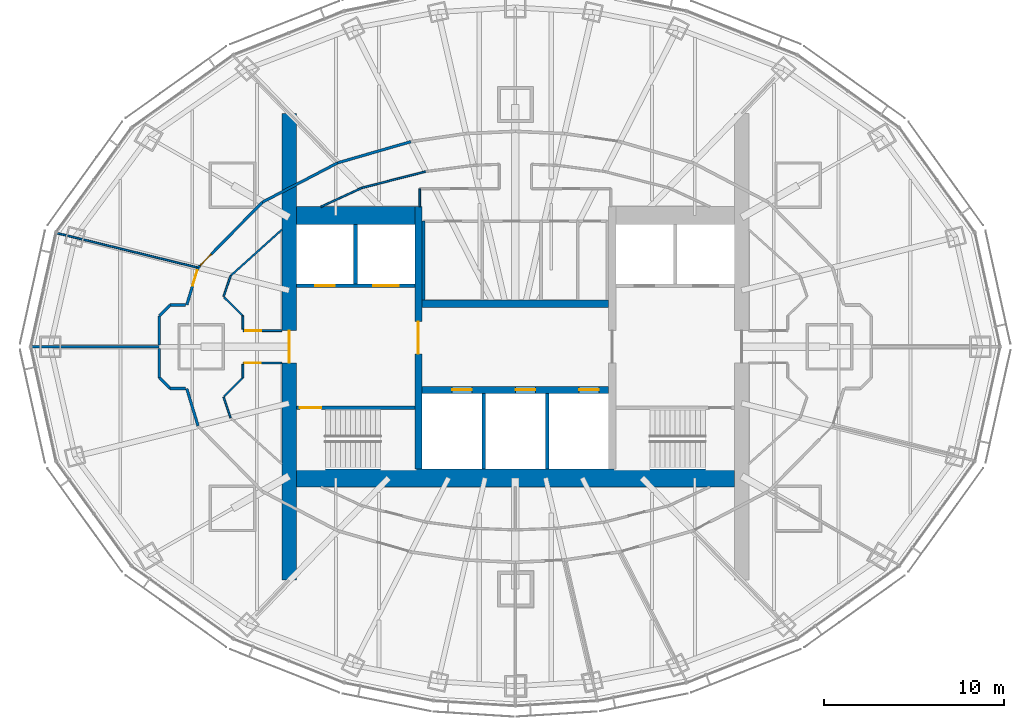
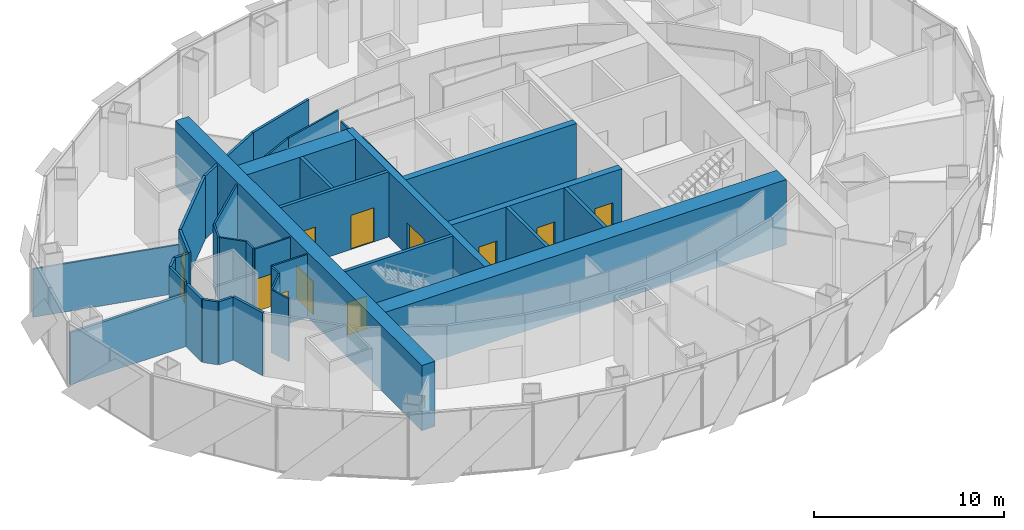
# One storey, part 12 of 17: 37 walls, 12 doors, 12 openings.
"""IFC4 building model written with IfcOpenShell, lengths in metres."""

from ifc_helpers import new_model, si_unit, direction, frame, frame_2d, origin, place, context, subcontext, project, spatial, rectangle, extrude, material, layer, layer_set, type_object, element, fill, save


model = new_model("IFC4")

# Units and contexts
model_context = context("Model", 3, precision=1e-05, world=origin(), true_north=direction((0.0, 1.0)))
body_context = subcontext(model_context, "Body", "Model", "MODEL_VIEW")
ifc_project = project(units=[si_unit("LENGTHUNIT", "METRE"), si_unit("AREAUNIT", "SQUARE_METRE"), si_unit("VOLUMEUNIT", "CUBIC_METRE"), si_unit("PLANEANGLEUNIT", "RADIAN"), si_unit("MASSUNIT", "GRAM", prefix="KILO")], contexts=[model_context])

# Site, building, storey
site_placement = place(None, origin())
site = spatial("IfcSite", under=ifc_project, at=site_placement, CompositionType="ELEMENT")
building_placement = place(site_placement, origin())
building = spatial("IfcBuilding", under=site, at=building_placement, Name="Lantaw Convention Tower", CompositionType="ELEMENT")
storey_placement = place(building_placement, frame((0.0, 0.0, 224.199951171875)))
storey = spatial("IfcBuildingStorey", under=building, at=storey_placement, Name="L52", CompositionType="ELEMENT", Elevation=224.199951171875)

# Walls
ifc_material_1 = material(Name="Concrete C60/75", Category="concrete")
ifc_layer_1 = layer(ifc_material_1, 1.0)
ifc_layer_set_1 = layer_set([ifc_layer_1], Name="Core wall 1000")
wall_type_1 = type_object("IfcWallType", Name="Core wall 1000", PredefinedType="SHEAR", material=ifc_layer_set_1)
wall_1_placement = place(storey_placement, frame((-12.199951171875, -7.300048828125, 0.0), z_axis=(0.0, 0.0, 1.0), x_axis=(1.0, 0.0, 0.0)))
element("IfcWall", 1, at=wall_1_placement, inside=storey, type_object=wall_type_1, Name="Core wall S", PredefinedType="SHEAR", context=body_context, shape_type="SweptSolid", body=[
    extrude(rectangle(XDim=24.39990234375, YDim=1.0, at=frame_2d((12.199951171875, 0.0))), origin(), (0.0, 0.0, 1.0), 4.199951171875),
])
wall_2_placement = place(storey_placement, frame((-5.60009765625, 7.300048828125, 0.0), z_axis=(0.0, 0.0, 1.0), x_axis=(-1.0, 0.0, 0.0)))
element("IfcWall", 2, at=wall_2_placement, inside=storey, type_object=wall_type_1, Name="Core wall NW", PredefinedType="SHEAR", context=body_context, shape_type="SweptSolid", body=[
    extrude(rectangle(XDim=6.599853515625, YDim=1.0, at=frame_2d((3.2998046875, 0.0))), origin(), (0.0, 0.0, 1.0), 4.199951171875),
])

# Wall, opening, door
ifc_layer_2 = layer(ifc_material_1, 0.199951171875)
ifc_layer_set_2 = layer_set([ifc_layer_2], Name="Core wall 200")
wall_type_2 = type_object("IfcWallType", Name="Core wall 200", PredefinedType="SHEAR", material=ifc_layer_set_2)
wall_3_placement = place(storey_placement, frame((-5.60009765625, -3.39990234375, 0.0), z_axis=(0.0, 0.0, 1.0), x_axis=(-1.0, 0.0, 0.0)))
wall_3 = element("IfcWall", 3, at=wall_3_placement, inside=storey, type_object=wall_type_2, Name="Core wall WS", PredefinedType="SHEAR", context=body_context, shape_type="SweptSolid", body=[
    extrude(rectangle(XDim=6.599853515625, YDim=0.199951171875, at=frame_2d((3.2998046875, 0.0))), origin(), (0.0, 0.0, 1.0), 4.199951171875),
])
opening_1_placement = place(wall_3_placement, frame((5.199951171875, 0.0, 0.0)))
opening_1 = element("IfcOpeningElement", 4, at=opening_1_placement, cuts=wall_3, Name="Opening L52.04", PredefinedType="OPENING", context=body_context, shape_type="SweptSolid", body=[
    extrude(rectangle(XDim=1.199951171875, YDim=2.10009765625, at=frame_2d((0.60009765625, 1.050048828125))), frame((0.0, 0.10986328125, 0.0), z_axis=(0.0, -1.0, 0.0), x_axis=(1.0, 0.0, 0.0)), (0.0, 0.0, 1.0), 0.219970703125),
])
ifc_material_2 = material(Name="Steel, fire rated", Category="steel")
door_type_1 = type_object("IfcDoorType", Name="Stair door FD90", OperationType="SINGLE_SWING_RIGHT", PredefinedType="DOOR", material=ifc_material_2)
door_1_placement = place(opening_1_placement, origin())
door_1 = element("IfcDoor", 5, at=door_1_placement, inside=storey, type_object=door_type_1, Name="Exit stair door", OperationType="SINGLE_SWING_RIGHT", OverallHeight=2.10009765625, OverallWidth=1.199951171875, PredefinedType="DOOR", context=body_context, shape_type="SweptSolid", body=[
    extrude(rectangle(XDim=1.199951171875, YDim=2.10009765625, at=frame_2d((0.60009765625, 1.050048828125))), frame((0.0, 0.02490234375, 0.0), z_axis=(0.0, -1.0, 0.0), x_axis=(1.0, 0.0, 0.0)), (0.0, 0.0, 1.0), 0.050048828125),
])
fill(opening_1, door_1)

ifc_layer_3 = layer(ifc_material_1, 0.39990234375)
ifc_layer_set_3 = layer_set([ifc_layer_3], Name="Core wall 400")
wall_type_3 = type_object("IfcWallType", Name="Core wall 400", PredefinedType="SHEAR", material=ifc_layer_set_3)
wall_4_placement = place(storey_placement, frame((-5.39990234375, 7.800048828125, 0.0), z_axis=(0.0, 0.0, 1.0), x_axis=(0.0, -1.0, 0.0)))
wall_4 = element("IfcWall", 6, at=wall_4_placement, inside=storey, type_object=wall_type_3, Name="Core wall XW", PredefinedType="SHEAR", context=body_context, shape_type="SweptSolid", body=[
    extrude(rectangle(XDim=14.60009765625, YDim=0.39990234375, at=frame_2d((7.300048828125, 0.0))), origin(), (0.0, 0.0, 1.0), 4.199951171875),
])
opening_2_placement = place(wall_4_placement, frame((6.39990234375, 0.0, 0.0)))
opening_2 = element("IfcOpeningElement", 7, at=opening_2_placement, cuts=wall_4, Name="Opening L52.02", PredefinedType="OPENING", context=body_context, shape_type="SweptSolid", body=[
    extrude(rectangle(XDim=1.800048828125, YDim=2.10009765625, at=frame_2d((0.89990234375, 1.050048828125))), frame((0.0, 0.2099609375, 0.0), z_axis=(0.0, -1.0, 0.0), x_axis=(1.0, 0.0, 0.0)), (0.0, 0.0, 1.0), 0.419921875),
])
door_type_2 = type_object("IfcDoorType", Name="Lobby double door FD90", OperationType="DOUBLE_DOOR_DOUBLE_SWING", PredefinedType="DOOR", material=ifc_material_2)
door_2_placement = place(opening_2_placement, origin())
door_2 = element("IfcDoor", 8, at=door_2_placement, inside=storey, type_object=door_type_2, Name="Lift lobby door", OperationType="DOUBLE_DOOR_DOUBLE_SWING", OverallHeight=2.10009765625, OverallWidth=1.800048828125, PredefinedType="DOOR", context=body_context, shape_type="SweptSolid", body=[
    extrude(rectangle(XDim=1.800048828125, YDim=2.10009765625, at=frame_2d((0.89990234375, 1.050048828125))), frame((0.0, 0.02490234375, 0.0), z_axis=(0.0, -1.0, 0.0), x_axis=(1.0, 0.0, 0.0)), (0.0, 0.0, 1.0), 0.050048828125),
])
fill(opening_2, door_2)

# Wall, openings, doors
wall_5_placement = place(storey_placement, frame((-5.199951171875, -2.39990234375, 0.0), z_axis=(0.0, 0.0, 1.0), x_axis=(1.0, 0.0, 0.0)))
wall_5 = element("IfcWall", 9, at=wall_5_placement, inside=storey, type_object=wall_type_3, Name="Core wall BS", PredefinedType="SHEAR", context=body_context, shape_type="SweptSolid", body=[
    extrude(rectangle(XDim=10.39990234375, YDim=0.39990234375, at=frame_2d((5.199951171875, 0.0))), origin(), (0.0, 0.0, 1.0), 4.199951171875),
])
opening_3_placement = place(wall_5_placement, frame((1.683349609375, 0.0, 0.0)))
opening_3 = element("IfcOpeningElement", 10, at=opening_3_placement, cuts=wall_5, Name="Opening L52.07", PredefinedType="OPENING", context=body_context, shape_type="SweptSolid", body=[
    extrude(rectangle(XDim=1.10009765625, YDim=2.199951171875, at=frame_2d((0.550048828125, 1.10009765625))), frame((0.0, 0.2099609375, 0.0), z_axis=(0.0, -1.0, 0.0), x_axis=(1.0, 0.0, 0.0)), (0.0, 0.0, 1.0), 0.419921875),
])
opening_4_placement = place(wall_5_placement, frame((5.216796875, 0.0, 0.0)))
opening_4 = element("IfcOpeningElement", 11, at=opening_4_placement, cuts=wall_5, Name="Opening L52.08", PredefinedType="OPENING", context=body_context, shape_type="SweptSolid", body=[
    extrude(rectangle(XDim=1.10009765625, YDim=2.199951171875, at=frame_2d((0.550048828125, 1.10009765625))), frame((0.0, 0.2099609375, 0.0), z_axis=(0.0, -1.0, 0.0), x_axis=(1.0, 0.0, 0.0)), (0.0, 0.0, 1.0), 0.419921875),
])
opening_5_placement = place(wall_5_placement, frame((8.75, 0.0, 0.0)))
opening_5 = element("IfcOpeningElement", 12, at=opening_5_placement, cuts=wall_5, Name="Opening L52.09", PredefinedType="OPENING", context=body_context, shape_type="SweptSolid", body=[
    extrude(rectangle(XDim=1.10009765625, YDim=2.199951171875, at=frame_2d((0.550048828125, 1.10009765625))), frame((0.0, 0.2099609375, 0.0), z_axis=(0.0, -1.0, 0.0), x_axis=(1.0, 0.0, 0.0)), (0.0, 0.0, 1.0), 0.419921875),
])
ifc_material_3 = material(Name="Stainless steel", Category="steel")
door_type_3 = type_object("IfcDoorType", Name="Lift landing door 1100", OperationType="DOUBLE_DOOR_SLIDING", PredefinedType="DOOR", material=ifc_material_3)
door_3_placement = place(opening_3_placement, origin())
door_3 = element("IfcDoor", 13, at=door_3_placement, inside=storey, type_object=door_type_3, Name="Lift landing door S1", OperationType="DOUBLE_DOOR_SLIDING", OverallHeight=2.199951171875, OverallWidth=1.10009765625, PredefinedType="DOOR", context=body_context, shape_type="SweptSolid", body=[
    extrude(rectangle(XDim=1.10009765625, YDim=2.199951171875, at=frame_2d((0.550048828125, 1.10009765625))), frame((0.0, 0.02490234375, 0.0), z_axis=(0.0, -1.0, 0.0), x_axis=(1.0, 0.0, 0.0)), (0.0, 0.0, 1.0), 0.050048828125),
])
fill(opening_3, door_3)
door_4_placement = place(opening_4_placement, origin())
door_4 = element("IfcDoor", 14, at=door_4_placement, inside=storey, type_object=door_type_3, Name="Lift landing door S2", OperationType="DOUBLE_DOOR_SLIDING", OverallHeight=2.199951171875, OverallWidth=1.10009765625, PredefinedType="DOOR", context=body_context, shape_type="SweptSolid", body=[
    extrude(rectangle(XDim=1.10009765625, YDim=2.199951171875, at=frame_2d((0.550048828125, 1.10009765625))), frame((0.0, 0.02490234375, 0.0), z_axis=(0.0, -1.0, 0.0), x_axis=(1.0, 0.0, 0.0)), (0.0, 0.0, 1.0), 0.050048828125),
])
fill(opening_4, door_4)
door_5_placement = place(opening_5_placement, origin())
door_5 = element("IfcDoor", 15, at=door_5_placement, inside=storey, type_object=door_type_3, Name="Lift landing door S3", OperationType="DOUBLE_DOOR_SLIDING", OverallHeight=2.199951171875, OverallWidth=1.10009765625, PredefinedType="DOOR", context=body_context, shape_type="SweptSolid", body=[
    extrude(rectangle(XDim=1.10009765625, YDim=2.199951171875, at=frame_2d((0.550048828125, 1.10009765625))), frame((0.0, 0.02490234375, 0.0), z_axis=(0.0, -1.0, 0.0), x_axis=(1.0, 0.0, 0.0)), (0.0, 0.0, 1.0), 0.050048828125),
])
fill(opening_5, door_5)

# Wall
wall_6_placement = place(storey_placement, frame((5.199951171875, 2.39990234375, 0.0), z_axis=(0.0, 0.0, 1.0), x_axis=(-1.0, 0.0, 0.0)))
element("IfcWall", 16, at=wall_6_placement, inside=storey, type_object=wall_type_3, Name="Core wall BN", PredefinedType="SHEAR", context=body_context, shape_type="SweptSolid", body=[
    extrude(rectangle(XDim=10.39990234375, YDim=0.39990234375, at=frame_2d((5.199951171875, 0.0))), origin(), (0.0, 0.0, 1.0), 4.199951171875),
])

# Wall, opening, door
ifc_layer_4 = layer(ifc_material_1, 0.800048828125)
ifc_layer_set_4 = layer_set([ifc_layer_4], Name="Core wall 800")
wall_type_4 = type_object("IfcWallType", Name="Core wall 800", PredefinedType="SHEAR", material=ifc_layer_set_4)
wall_7_placement = place(storey_placement, frame((-12.60009765625, 13.0, 0.0), z_axis=(0.0, 0.0, 1.0), x_axis=(0.0, -1.0, 0.0)))
wall_7 = element("IfcWall", 17, at=wall_7_placement, inside=storey, type_object=wall_type_4, Name="Core wall W", PredefinedType="SHEAR", context=body_context, shape_type="SweptSolid", body=[
    extrude(rectangle(XDim=26.0, YDim=0.800048828125, at=frame_2d((13.0, 0.0))), origin(), (0.0, 0.0, 1.0), 4.199951171875),
])
opening_6_placement = place(wall_7_placement, frame((12.10009765625, 0.0, 0.0)))
opening_6 = element("IfcOpeningElement", 18, at=opening_6_placement, cuts=wall_7, Name="Opening L52.06", PredefinedType="OPENING", context=body_context, shape_type="SweptSolid", body=[
    extrude(rectangle(XDim=1.800048828125, YDim=2.10009765625, at=frame_2d((0.89990234375, 1.050048828125))), frame((0.0, 0.409912109375, 0.0), z_axis=(0.0, -1.0, 0.0), x_axis=(1.0, 0.0, 0.0)), (0.0, 0.0, 1.0), 0.820068359375),
])
door_6_placement = place(opening_6_placement, origin())
door_6 = element("IfcDoor", 19, at=door_6_placement, inside=storey, type_object=door_type_2, Name="Firefighting lobby door", OperationType="DOUBLE_DOOR_DOUBLE_SWING", OverallHeight=2.10009765625, OverallWidth=1.800048828125, PredefinedType="DOOR", context=body_context, shape_type="SweptSolid", body=[
    extrude(rectangle(XDim=1.800048828125, YDim=2.10009765625, at=frame_2d((0.89990234375, 1.050048828125))), frame((0.0, 0.02490234375, 0.0), z_axis=(0.0, -1.0, 0.0), x_axis=(1.0, 0.0, 0.0)), (0.0, 0.0, 1.0), 0.050048828125),
])
fill(opening_6, door_6)

# Walls
ifc_material_4 = material(Name="Gypsum board on steel studs, fire rated", Category="steel")
ifc_layer_5 = layer(ifc_material_4, 0.14990234375)
ifc_layer_set_5 = layer_set([ifc_layer_5], Name="Corridor wall 150 EI 60")
wall_type_5 = type_object("IfcWallType", Name="Corridor wall 150 EI 60", PredefinedType="PARTITIONING", material=ifc_layer_set_5)
wall_8_placement = place(storey_placement, frame((-5.8203125, 11.423095703125, 0.0), z_axis=(0.0, 0.0, 1.0), x_axis=(-0.960614838378, -0.27788330696, 0.0)))
element("IfcWall", 20, at=wall_8_placement, inside=storey, type_object=wall_type_5, Name="Corridor wall 150", PredefinedType="PARTITIONING", context=body_context, shape_type="SweptSolid", body=[
    extrude(rectangle(XDim=4.239990234375, YDim=0.14990234375, at=frame_2d((2.1201171875, 0.0))), origin(), (0.0, 0.0, 1.0), 4.050048828125),
])
wall_9_placement = place(storey_placement, frame((-9.893310546875, 10.244873046875, 0.0), z_axis=(0.0, 0.0, 1.0), x_axis=(-0.886174439647, -0.463351769735, 0.0)))
element("IfcWall", 21, at=wall_9_placement, inside=storey, type_object=wall_type_5, Name="Corridor wall 150", PredefinedType="PARTITIONING", context=body_context, shape_type="SweptSolid", body=[
    extrude(rectangle(XDim=4.734619140625, YDim=0.14990234375, at=frame_2d((2.3671875, 0.0))), origin(), (0.0, 0.0, 1.0), 4.050048828125),
])

# Wall, opening, door
wall_10_placement = place(storey_placement, frame((-14.089111328125, 8.051025390625, 0.0), z_axis=(0.0, 0.0, 1.0), x_axis=(-0.701111216625, -0.713051934941, 0.0)))
wall_10 = element("IfcWall", 22, at=wall_10_placement, inside=storey, type_object=wall_type_5, Name="Corridor wall 150", PredefinedType="PARTITIONING", context=body_context, shape_type="SweptSolid", body=[
    extrude(rectangle(XDim=5.111572265625, YDim=0.14990234375, at=frame_2d((2.5556640625, 0.0))), origin(), (0.0, 0.0, 1.0), 4.050048828125),
])
opening_7_placement = place(wall_10_placement, frame((4.061279296875, 0.0, 0.0)))
opening_7 = element("IfcOpeningElement", 23, at=opening_7_placement, cuts=wall_10, Name="Opening L52.27", PredefinedType="OPENING", context=body_context, shape_type="SweptSolid", body=[
    extrude(rectangle(XDim=0.89990234375, YDim=2.10009765625, at=frame_2d((0.449951171875, 1.050048828125))), frame((0.0, 0.0849609375, 0.0), z_axis=(0.0, -1.0, 0.0), x_axis=(1.0, 0.0, 0.0)), (0.0, 0.0, 1.0), 0.169921875),
])
door_type_4 = type_object("IfcDoorType", Name="Office door 900 FD30", OperationType="SINGLE_SWING_LEFT", PredefinedType="DOOR", material=ifc_material_2)
door_7_placement = place(opening_7_placement, origin())
door_7 = element("IfcDoor", 24, at=door_7_placement, inside=storey, type_object=door_type_4, Name="Boardroom door", OperationType="SINGLE_SWING_LEFT", OverallHeight=2.10009765625, OverallWidth=0.89990234375, PredefinedType="DOOR", context=body_context, shape_type="SweptSolid", body=[
    extrude(rectangle(XDim=0.89990234375, YDim=2.10009765625, at=frame_2d((0.449951171875, 1.050048828125))), frame((0.0, 0.02490234375, 0.0), z_axis=(0.0, -1.0, 0.0), x_axis=(1.0, 0.0, 0.0)), (0.0, 0.0, 1.0), 0.050048828125),
])
fill(opening_7, door_7)

wall_11_placement = place(storey_placement, frame((-17.6728515625, 4.40625, 0.0), z_axis=(0.0, 0.0, 1.0), x_axis=(-0.288362447016, -0.957521330912, 0.0)))
wall_11 = element("IfcWall", 25, at=wall_11_placement, inside=storey, type_object=wall_type_5, Name="Corridor wall 150", PredefinedType="PARTITIONING", context=body_context, shape_type="SweptSolid", body=[
    extrude(rectangle(XDim=2.1630859375, YDim=0.14990234375, at=frame_2d((1.08154296875, 0.0))), origin(), (0.0, 0.0, 1.0), 4.050048828125),
])
opening_8_placement = place(wall_11_placement, frame((0.14990234375, 0.0, 0.0)))
opening_8 = element("IfcOpeningElement", 26, at=opening_8_placement, cuts=wall_11, Name="Opening L52.28", PredefinedType="OPENING", context=body_context, shape_type="SweptSolid", body=[
    extrude(rectangle(XDim=0.89990234375, YDim=2.10009765625, at=frame_2d((0.449951171875, 1.050048828125))), frame((0.0, 0.0849609375, 0.0), z_axis=(0.0, -1.0, 0.0), x_axis=(1.0, 0.0, 0.0)), (0.0, 0.0, 1.0), 0.169921875),
])
door_8_placement = place(opening_8_placement, origin())
door_8 = element("IfcDoor", 27, at=door_8_placement, inside=storey, type_object=door_type_4, Name="Pantry door", OperationType="SINGLE_SWING_LEFT", OverallHeight=2.10009765625, OverallWidth=0.89990234375, PredefinedType="DOOR", context=body_context, shape_type="SweptSolid", body=[
    extrude(rectangle(XDim=0.89990234375, YDim=2.10009765625, at=frame_2d((0.449951171875, 1.050048828125))), frame((0.0, 0.02490234375, 0.0), z_axis=(0.0, -1.0, 0.0), x_axis=(1.0, 0.0, 0.0)), (0.0, 0.0, 1.0), 0.050048828125),
])
fill(opening_8, door_8)

# Walls
wall_12_placement = place(storey_placement, frame((-18.296630859375, -2.3349609375, 0.0), z_axis=(0.0, 0.0, 1.0), x_axis=(0.288362447016, -0.957521330912, 0.0)))
element("IfcWall", 28, at=wall_12_placement, inside=storey, type_object=wall_type_5, Name="Corridor wall 150", PredefinedType="PARTITIONING", context=body_context, shape_type="SweptSolid", body=[
    extrude(rectangle(XDim=2.1630859375, YDim=0.14990234375, at=frame_2d((1.08154296875, 0.0))), origin(), (0.0, 0.0, 1.0), 4.050048828125),
])
wall_13_placement = place(storey_placement, frame((-19.824951171875, 0.103271484375, 0.0), z_axis=(0.0, 0.0, 1.0), x_axis=(0.0, 1.0, 0.0)))
element("IfcWall", 29, at=wall_13_placement, inside=storey, type_object=wall_type_5, Name="Corridor wall 150", PredefinedType="PARTITIONING", context=body_context, shape_type="SweptSolid", body=[
    extrude(rectangle(XDim=1.621337890625, YDim=0.14990234375, at=frame_2d((0.810546875, 0.0))), origin(), (0.0, 0.0, 1.0), 4.050048828125),
])
wall_14_placement = place(storey_placement, frame((-19.824951171875, 1.724609375, 0.0), z_axis=(0.0, 0.0, 1.0), x_axis=(0.707106781187, 0.707106781187, 0.0)))
element("IfcWall", 30, at=wall_14_placement, inside=storey, type_object=wall_type_5, Name="Corridor wall 150", PredefinedType="PARTITIONING", context=body_context, shape_type="SweptSolid", body=[
    extrude(rectangle(XDim=0.84912109375, YDim=0.14990234375, at=frame_2d((0.424560546875, 0.0))), origin(), (0.0, 0.0, 1.0), 4.050048828125),
])
for number, where, z_axis, x_axis, name in (
    (31, (-19.224609375, 2.324951171875, 0.0), (0.0, 0.0, 1.0), (1.0, 0.0, 0.0), "Corridor wall 150"),
    (32, (-18.367431640625, -2.324951171875, 0.0), (0.0, 0.0, 1.0), (-1.0, 0.0, 0.0), "Corridor wall 150"),
):
    element("IfcWall", number, at=place(storey_placement, frame(where, z_axis=z_axis, x_axis=x_axis)), inside=storey, type_object=wall_type_5, Name=name, PredefinedType="PARTITIONING", context=body_context, shape_type="SweptSolid", body=[
        extrude(rectangle(XDim=0.857177734375, YDim=0.14990234375, at=frame_2d((0.4287109375, 0.0))), origin(), (0.0, 0.0, 1.0), 4.050048828125),
    ])
wall_15_placement = place(storey_placement, frame((-19.224609375, -2.324951171875, 0.0), z_axis=(0.0, 0.0, 1.0), x_axis=(-0.707106781187, 0.707106781187, 0.0)))
element("IfcWall", 33, at=wall_15_placement, inside=storey, type_object=wall_type_5, Name="Corridor wall 150", PredefinedType="PARTITIONING", context=body_context, shape_type="SweptSolid", body=[
    extrude(rectangle(XDim=0.84912109375, YDim=0.14990234375, at=frame_2d((0.424560546875, 0.0))), origin(), (0.0, 0.0, 1.0), 4.050048828125),
])
wall_16_placement = place(storey_placement, frame((-19.824951171875, -1.724609375, 0.0), z_axis=(0.0, 0.0, 1.0), x_axis=(0.0, 1.0, 0.0)))
element("IfcWall", 34, at=wall_16_placement, inside=storey, type_object=wall_type_5, Name="Corridor wall 150", PredefinedType="PARTITIONING", context=body_context, shape_type="SweptSolid", body=[
    extrude(rectangle(XDim=1.621337890625, YDim=0.14990234375, at=frame_2d((0.810546875, 0.0))), origin(), (0.0, 0.0, 1.0), 4.050048828125),
])
ifc_material_5 = material(Name="Gypsum board on steel studs, acoustic", Category="steel")
ifc_layer_6 = layer(ifc_material_5, 0.10009765625)
ifc_layer_set_6 = layer_set([ifc_layer_6], Name="Office partition 100")
wall_type_6 = type_object("IfcWallType", Name="Office partition 100", PredefinedType="PARTITIONING", material=ifc_layer_set_6)
wall_17_placement = place(storey_placement, frame((-25.542724609375, 6.335693359375, 0.0), z_axis=(0.0, 0.0, 1.0), x_axis=(0.97123661777, -0.238116425942, 0.0)))
element("IfcWall", 35, at=wall_17_placement, inside=storey, type_object=wall_type_6, Name="Office partition 100", PredefinedType="PARTITIONING", context=body_context, shape_type="SweptSolid", body=[
    extrude(rectangle(XDim=8.10302734375, YDim=0.10009765625, at=frame_2d((4.051513671875, 0.0))), origin(), (0.0, 0.0, 1.0), 3.107666015625),
])
wall_18_placement = place(storey_placement, frame((-10.822509765625, 7.800048828125, 0.0), z_axis=(0.0, 0.0, 1.0), x_axis=(0.907759689292, 0.419490579748, 0.0)))
element("IfcWall", 36, at=wall_18_placement, inside=storey, type_object=wall_type_6, Name="Office partition 100", PredefinedType="PARTITIONING", context=body_context, shape_type="SweptSolid", body=[
    extrude(rectangle(XDim=2.506103515625, YDim=0.10009765625, at=frame_2d((1.2529296875, 0.0))), origin(), (0.0, 0.0, 1.0), 4.050048828125),
])
wall_19_placement = place(storey_placement, frame((-8.547607421875, 8.851318359375, 0.0), z_axis=(0.0, 0.0, 1.0), x_axis=(0.968887312542, 0.247502273921, 0.0)))
element("IfcWall", 37, at=wall_19_placement, inside=storey, type_object=wall_type_6, Name="Office partition 100", PredefinedType="PARTITIONING", context=body_context, shape_type="SweptSolid", body=[
    extrude(rectangle(XDim=3.687255859375, YDim=0.10009765625, at=frame_2d((1.84375, 0.0))), origin(), (0.0, 0.0, 1.0), 4.050048828125),
])
wall_20_placement = place(storey_placement, frame((-5.320068359375, 8.800048828125, 0.0), z_axis=(0.0, 0.0, 1.0), x_axis=(0.0, -1.0, 0.0)))
element("IfcWall", 38, at=wall_20_placement, inside=storey, type_object=wall_type_6, Name="Office partition 100", PredefinedType="PARTITIONING", context=body_context, shape_type="SweptSolid", body=[
    extrude(rectangle(XDim=1.0, YDim=0.10009765625, at=frame_2d((0.5, 0.0))), origin(), (0.0, 0.0, 1.0), 4.050048828125),
])
wall_21_placement = place(storey_placement, frame((-15.855712890625, 3.953369140625, 0.0), z_axis=(0.0, 0.0, 1.0), x_axis=(0.743177243228, 0.669094601046, 0.0)))
element("IfcWall", 39, at=wall_21_placement, inside=storey, type_object=wall_type_6, Name="Office partition 100", PredefinedType="PARTITIONING", context=body_context, shape_type="SweptSolid", body=[
    extrude(rectangle(XDim=3.842529296875, YDim=0.10009765625, at=frame_2d((1.92138671875, 0.0))), origin(), (0.0, 0.0, 1.0), 4.050048828125),
])
wall_22_placement = place(storey_placement, frame((-15.855712890625, -3.953369140625, 0.0), z_axis=(0.0, 0.0, 1.0), x_axis=(-0.321913473529, 0.946769093053, 0.0)))
element("IfcWall", 40, at=wall_22_placement, inside=storey, type_object=wall_type_6, Name="Office partition 100", PredefinedType="PARTITIONING", context=body_context, shape_type="SweptSolid", body=[
    extrude(rectangle(XDim=1.22265625, YDim=0.10009765625, at=frame_2d((0.611328125, 0.0))), origin(), (0.0, 0.0, 1.0), 4.050048828125),
])

# Wall, opening, door
wall_23_placement = place(storey_placement, frame((-15.1650390625, -0.89990234375, 0.0), z_axis=(0.0, 0.0, 1.0), x_axis=(1.0, 0.0, 0.0)))
wall_23 = element("IfcWall", 41, at=wall_23_placement, inside=storey, type_object=wall_type_6, Name="Office partition 100", PredefinedType="PARTITIONING", context=body_context, shape_type="SweptSolid", body=[
    extrude(rectangle(XDim=2.1650390625, YDim=0.10009765625, at=frame_2d((1.08251953125, 0.0))), origin(), (0.0, 0.0, 1.0), 4.050048828125),
])
opening_9_placement = place(wall_23_placement, frame((0.10009765625, 0.0, 0.0)))
opening_9 = element("IfcOpeningElement", 42, at=opening_9_placement, cuts=wall_23, Name="Opening L52.18", PredefinedType="OPENING", context=body_context, shape_type="SweptSolid", body=[
    extrude(rectangle(XDim=0.89990234375, YDim=2.10009765625, at=frame_2d((0.449951171875, 1.050048828125))), frame((0.0, 0.06005859375, 0.0), z_axis=(0.0, -1.0, 0.0), x_axis=(1.0, 0.0, 0.0)), (0.0, 0.0, 1.0), 0.1201171875),
])
ifc_material_6 = material(Name="Timber", Category="wood")
door_type_5 = type_object("IfcDoorType", Name="Office door 900", OperationType="SINGLE_SWING_LEFT", PredefinedType="DOOR", material=ifc_material_6)
door_9_placement = place(opening_9_placement, origin())
door_9 = element("IfcDoor", 43, at=door_9_placement, inside=storey, type_object=door_type_5, Name="Meeting room door", OperationType="SINGLE_SWING_LEFT", OverallHeight=2.10009765625, OverallWidth=0.89990234375, PredefinedType="DOOR", context=body_context, shape_type="SweptSolid", body=[
    extrude(rectangle(XDim=0.89990234375, YDim=2.10009765625, at=frame_2d((0.449951171875, 1.050048828125))), frame((0.0, 0.02490234375, 0.0), z_axis=(0.0, -1.0, 0.0), x_axis=(1.0, 0.0, 0.0)), (0.0, 0.0, 1.0), 0.050048828125),
])
fill(opening_9, door_9)

wall_24_placement = place(storey_placement, frame((-13.0, 0.89990234375, 0.0), z_axis=(0.0, 0.0, 1.0), x_axis=(-1.0, 0.0, 0.0)))
wall_24 = element("IfcWall", 44, at=wall_24_placement, inside=storey, type_object=wall_type_6, Name="Office partition 100", PredefinedType="PARTITIONING", context=body_context, shape_type="SweptSolid", body=[
    extrude(rectangle(XDim=2.1650390625, YDim=0.10009765625, at=frame_2d((1.08251953125, 0.0))), origin(), (0.0, 0.0, 1.0), 4.050048828125),
])
opening_10_placement = place(wall_24_placement, frame((1.14990234375, 0.0, 0.0)))
opening_10 = element("IfcOpeningElement", 45, at=opening_10_placement, cuts=wall_24, Name="Opening L52.25", PredefinedType="OPENING", context=body_context, shape_type="SweptSolid", body=[
    extrude(rectangle(XDim=0.89990234375, YDim=2.10009765625, at=frame_2d((0.449951171875, 1.050048828125))), frame((0.0, 0.06005859375, 0.0), z_axis=(0.0, -1.0, 0.0), x_axis=(1.0, 0.0, 0.0)), (0.0, 0.0, 1.0), 0.1201171875),
])
door_10_placement = place(opening_10_placement, origin())
door_10 = element("IfcDoor", 46, at=door_10_placement, inside=storey, type_object=door_type_5, Name="Comms room door", OperationType="SINGLE_SWING_LEFT", OverallHeight=2.10009765625, OverallWidth=0.89990234375, PredefinedType="DOOR", context=body_context, shape_type="SweptSolid", body=[
    extrude(rectangle(XDim=0.89990234375, YDim=2.10009765625, at=frame_2d((0.449951171875, 1.050048828125))), frame((0.0, 0.02490234375, 0.0), z_axis=(0.0, -1.0, 0.0), x_axis=(1.0, 0.0, 0.0)), (0.0, 0.0, 1.0), 0.050048828125),
])
fill(opening_10, door_10)

# Walls
wall_25_placement = place(storey_placement, frame((-16.249267578125, 2.7958984375, 0.0), z_axis=(0.0, 0.0, 1.0), x_axis=(0.321913473529, 0.946769093053, 0.0)))
element("IfcWall", 47, at=wall_25_placement, inside=storey, type_object=wall_type_6, Name="Office partition 100", PredefinedType="PARTITIONING", context=body_context, shape_type="SweptSolid", body=[
    extrude(rectangle(XDim=1.22265625, YDim=0.10009765625, at=frame_2d((0.611328125, 0.0))), origin(), (0.0, 0.0, 1.0), 4.050048828125),
])
wall_26_placement = place(storey_placement, frame((-15.175048828125, -0.978271484375, 0.0), z_axis=(0.0, 0.0, 1.0), x_axis=(0.0, -1.0, 0.0)))
element("IfcWall", 48, at=wall_26_placement, inside=storey, type_object=wall_type_6, Name="Office partition 100", PredefinedType="PARTITIONING", context=body_context, shape_type="SweptSolid", body=[
    extrude(rectangle(XDim=0.746337890625, YDim=0.10009765625, at=frame_2d((0.373046875, 0.0))), origin(), (0.0, 0.0, 1.0), 4.050048828125),
])
for number, where, z_axis, x_axis, name in (
    (49, (-15.175048828125, -1.724609375, 0.0), (0.0, 0.0, 1.0), (-0.712897698193, -0.701268045694, 0.0), "Office partition 100"),
    (50, (-16.22265625, 2.755126953125, 0.0), (0.0, 0.0, 1.0), (0.712897698193, -0.701268045694, 0.0), "Office partition 100"),
):
    element("IfcWall", number, at=place(storey_placement, frame(where, z_axis=z_axis, x_axis=x_axis)), inside=storey, type_object=wall_type_6, Name=name, PredefinedType="PARTITIONING", context=body_context, shape_type="SweptSolid", body=[
        extrude(rectangle(XDim=1.469482421875, YDim=0.10009765625, at=frame_2d((0.73486328125, 0.0))), origin(), (0.0, 0.0, 1.0), 4.050048828125),
    ])
wall_27_placement = place(storey_placement, frame((-15.175048828125, 1.724609375, 0.0), z_axis=(0.0, 0.0, 1.0), x_axis=(0.0, -1.0, 0.0)))
element("IfcWall", 51, at=wall_27_placement, inside=storey, type_object=wall_type_6, Name="Office partition 100", PredefinedType="PARTITIONING", context=body_context, shape_type="SweptSolid", body=[
    extrude(rectangle(XDim=0.746337890625, YDim=0.10009765625, at=frame_2d((0.373046875, 0.0))), origin(), (0.0, 0.0, 1.0), 4.050048828125),
])

# Wall, openings, doors
ifc_material_7 = material(Name="Concrete blockwork, fire rated", Category="masonry")
ifc_layer_7 = layer(ifc_material_7, 0.199951171875)
ifc_layer_set_7 = layer_set([ifc_layer_7], Name="Shaft wall 200")
wall_type_7 = type_object("IfcWallType", Name="Shaft wall 200", PredefinedType="SOLIDWALL", material=ifc_layer_set_7)
wall_28_placement = place(storey_placement, frame((-12.199951171875, 3.39990234375, 0.0), z_axis=(0.0, 0.0, 1.0), x_axis=(1.0, 0.0, 0.0)))
wall_28 = element("IfcWall", 52, at=wall_28_placement, inside=storey, type_object=wall_type_7, Name="Shaft wall WN", PredefinedType="SOLIDWALL", context=body_context, shape_type="SweptSolid", body=[
    extrude(rectangle(XDim=6.599853515625, YDim=0.199951171875, at=frame_2d((3.2998046875, 0.0))), origin(), (0.0, 0.0, 1.0), 4.199951171875),
])
opening_11_placement = place(wall_28_placement, frame((1.050048828125, 0.0, 0.0)))
opening_11 = element("IfcOpeningElement", 53, at=opening_11_placement, cuts=wall_28, Name="Opening L52.10", PredefinedType="OPENING", context=body_context, shape_type="SweptSolid", body=[
    extrude(rectangle(XDim=1.10009765625, YDim=2.199951171875, at=frame_2d((0.550048828125, 1.10009765625))), frame((0.0, 0.10986328125, 0.0), z_axis=(0.0, -1.0, 0.0), x_axis=(1.0, 0.0, 0.0)), (0.0, 0.0, 1.0), 0.219970703125),
])
opening_12_placement = place(wall_28_placement, frame((4.300048828125, 0.0, 0.0)))
opening_12 = element("IfcOpeningElement", 54, at=opening_12_placement, cuts=wall_28, Name="Opening L52.11", PredefinedType="OPENING", context=body_context, shape_type="SweptSolid", body=[
    extrude(rectangle(XDim=1.39990234375, YDim=2.199951171875, at=frame_2d((0.699951171875, 1.10009765625))), frame((0.0, 0.10986328125, 0.0), z_axis=(0.0, -1.0, 0.0), x_axis=(1.0, 0.0, 0.0)), (0.0, 0.0, 1.0), 0.219970703125),
])
door_11_placement = place(opening_11_placement, origin())
door_11 = element("IfcDoor", 55, at=door_11_placement, inside=storey, type_object=door_type_3, Name="Lift landing door FF1", OperationType="DOUBLE_DOOR_SLIDING", OverallHeight=2.199951171875, OverallWidth=1.10009765625, PredefinedType="DOOR", context=body_context, shape_type="SweptSolid", body=[
    extrude(rectangle(XDim=1.10009765625, YDim=2.199951171875, at=frame_2d((0.550048828125, 1.10009765625))), frame((0.0, 0.02490234375, 0.0), z_axis=(0.0, -1.0, 0.0), x_axis=(1.0, 0.0, 0.0)), (0.0, 0.0, 1.0), 0.050048828125),
])
fill(opening_11, door_11)
door_type_6 = type_object("IfcDoorType", Name="Lift landing door 1400", OperationType="DOUBLE_DOOR_SLIDING", PredefinedType="DOOR", material=ifc_material_3)
door_12_placement = place(opening_12_placement, origin())
door_12 = element("IfcDoor", 56, at=door_12_placement, inside=storey, type_object=door_type_6, Name="Lift landing door SV1", OperationType="DOUBLE_DOOR_SLIDING", OverallHeight=2.199951171875, OverallWidth=1.39990234375, PredefinedType="DOOR", context=body_context, shape_type="SweptSolid", body=[
    extrude(rectangle(XDim=1.39990234375, YDim=2.199951171875, at=frame_2d((0.699951171875, 1.10009765625))), frame((0.0, 0.02490234375, 0.0), z_axis=(0.0, -1.0, 0.0), x_axis=(1.0, 0.0, 0.0)), (0.0, 0.0, 1.0), 0.050048828125),
])
fill(opening_12, door_12)

# Walls
wall_29_placement = place(storey_placement, frame((-8.89990234375, 3.5, 0.0), z_axis=(0.0, 0.0, 1.0), x_axis=(0.0, 1.0, 0.0)))
element("IfcWall", 57, at=wall_29_placement, inside=storey, type_object=wall_type_7, Name="Shaft wall WD", PredefinedType="SOLIDWALL", context=body_context, shape_type="SweptSolid", body=[
    extrude(rectangle(XDim=3.300048828125, YDim=0.199951171875, at=frame_2d((1.64990234375, 0.0))), origin(), (0.0, 0.0, 1.0), 4.199951171875),
])
ifc_layer_8 = layer(ifc_material_7, 0.199951171875)
ifc_layer_set_8 = layer_set([ifc_layer_8], Name="Shaft wall 200 load-bearing")
wall_type_8 = type_object("IfcWallType", Name="Shaft wall 200 load-bearing", PredefinedType="SOLIDWALL", material=ifc_layer_set_8)
for number, where, z_axis, x_axis, name in (
    (58, (-1.7666015625, -2.60009765625, 0.0), (0.0, 0.0, 1.0), (0.0, -1.0, 0.0), "Shaft wall DS1"),
    (59, (1.7666015625, -2.60009765625, 0.0), (0.0, 0.0, 1.0), (0.0, -1.0, 0.0), "Shaft wall DS2"),
):
    element("IfcWall", number, at=place(storey_placement, frame(where, z_axis=z_axis, x_axis=x_axis)), inside=storey, type_object=wall_type_8, Name=name, PredefinedType="SOLIDWALL", context=body_context, shape_type="SweptSolid", body=[
        extrude(rectangle(XDim=4.199951171875, YDim=0.199951171875, at=frame_2d((2.10009765625, 0.0))), origin(), (0.0, 0.0, 1.0), 4.199951171875),
    ])
ifc_layer_9 = layer(ifc_material_4, 0.14990234375)
ifc_layer_set_9 = layer_set([ifc_layer_9], Name="Tenant separation wall 150 EI 60")
wall_type_9 = type_object("IfcWallType", Name="Tenant separation wall 150 EI 60", PredefinedType="PARTITIONING", material=ifc_layer_set_9)
wall_30_placement = place(storey_placement, frame((-26.944091796875, 0.0, 0.0), z_axis=(0.0, 0.0, 1.0), x_axis=(1.0, 0.0, 0.0)))
element("IfcWall", 60, at=wall_30_placement, inside=storey, type_object=wall_type_9, Name="Tenant separation wall 150", PredefinedType="PARTITIONING", context=body_context, shape_type="SweptSolid", body=[
    extrude(rectangle(XDim=7.109130859375, YDim=0.14990234375, at=frame_2d((3.5546875, 0.0))), origin(), (0.0, 0.0, 1.0), 3.34912109375),
])
ifc_material_8 = material(Name="Concrete blockwork", Category="masonry")
ifc_layer_10 = layer(ifc_material_8, 0.14990234375)
ifc_layer_set_10 = layer_set([ifc_layer_10], Name="WC wall 150")
wall_type_10 = type_object("IfcWallType", Name="WC wall 150", PredefinedType="SOLIDWALL", material=ifc_layer_set_10)
wall_31_placement = place(storey_placement, frame((-5.1201171875, 2.60009765625, 0.0), z_axis=(0.0, 0.0, 1.0), x_axis=(0.0, 1.0, 0.0)))
element("IfcWall", 61, at=wall_31_placement, inside=storey, type_object=wall_type_10, Name="WC wall 150", PredefinedType="SOLIDWALL", context=body_context, shape_type="SweptSolid", body=[
    extrude(rectangle(XDim=4.39990234375, YDim=0.14990234375, at=frame_2d((2.199951171875, 0.0))), origin(), (0.0, 0.0, 1.0), 4.050048828125),
])

save(model, "model.ifc")
